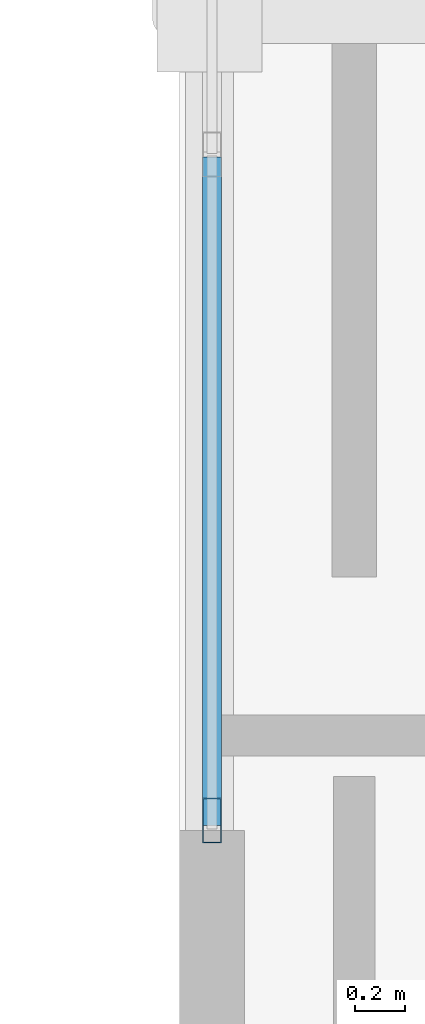
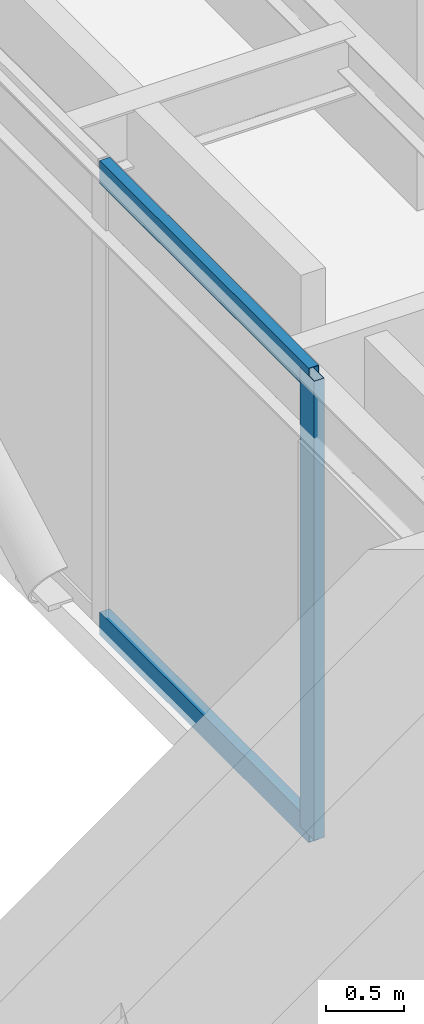
# One storey, part 4 of 19: 3 members, 1 element without a shape of its own.
"""IFC4 building model written with IfcOpenShell, lengths in metres."""

from ifc_helpers import new_model, si_unit, direction, frame, origin, origin_2d, place, context, subcontext, project, spatial, hollow_rectangle, extrude, material, material_profile, profile_set, type_object, element, aggregate, save


model = new_model("IFC4")

# Units and contexts
model_context = context("Model", 3, precision=1e-05, world=origin(), true_north=direction((0.0, 1.0)))
body_context = subcontext(model_context, "Body", "Model", "MODEL_VIEW")
ifc_project = project(units=[si_unit("LENGTHUNIT", "METRE"), si_unit("AREAUNIT", "SQUARE_METRE"), si_unit("VOLUMEUNIT", "CUBIC_METRE"), si_unit("PLANEANGLEUNIT", "RADIAN"), si_unit("MASSUNIT", "GRAM", prefix="KILO")], contexts=[model_context])

# Site, building, storey
site_placement = place(None, origin())
site = spatial("IfcSite", under=ifc_project, at=site_placement, CompositionType="ELEMENT")
building_placement = place(site_placement, origin())
building = spatial("IfcBuilding", under=site, at=building_placement, Name="Ventersveld Concourse Tower", CompositionType="ELEMENT")
storey_placement = place(building_placement, frame((0.0, 0.0, 345.199951171875)))
storey = spatial("IfcBuildingStorey", under=building, at=storey_placement, Name="L85", CompositionType="ELEMENT", Elevation=345.199951171875)

# Curtain wall, members
ifc_material = material(Name="Anodised aluminium EN AW-6063-T6", Category="aluminium")
curtain_wall_type = type_object("IfcCurtainWallType", Name="CW-WP-5", PredefinedType="NOTDEFINED", material=ifc_material)
curtain_wall_placement = place(storey_placement, origin())
curtain_wall = element("IfcCurtainWall", 1, at=curtain_wall_placement, inside=storey, type_object=curtain_wall_type, Name="L85 L85 Wind Portal Aerodynamic Cheek Curtain Wall", PredefinedType="NOTDEFINED")
ifc_material_profile_1 = material_profile(ifc_material, hollow_rectangle(XDim=0.074951171875, YDim=0.179931640625, WallThickness=0.00390625, at=origin_2d()), Name="ALU 180x75x4")
ifc_profile_set_1 = profile_set([ifc_material_profile_1], Name="Anodised aluminium EN AW-6063-T6")
member_type_1 = type_object("IfcMemberType", Name="CWM-180x75", PredefinedType="MULLION", material=ifc_profile_set_1)
member_1_placement = place(storey_placement, frame((34.1298828125, 14.2900390625, 0.0), z_axis=(0.0, 0.0, 1.0), x_axis=(1.0, 0.0, 0.0)))
member_1 = element("IfcMember", 2, at=member_1_placement, type_object=member_type_1, Name="CW-L85-WP-E Mullion 01", PredefinedType="MULLION", context=body_context, shape_type="SweptSolid", body=[
    extrude(hollow_rectangle(XDim=0.074951171875, YDim=0.179931640625, WallThickness=0.00390625, at=origin_2d()), origin(), (0.0, 0.0, 1.0), 3.590087890625),
])
ifc_material_profile_2 = material_profile(ifc_material, hollow_rectangle(XDim=0.074951171875, YDim=0.179931640625, WallThickness=0.00390625, at=origin_2d()), Name="ALU 180x75x4")
ifc_profile_set_2 = profile_set([ifc_material_profile_2], Name="Anodised aluminium EN AW-6063-T6")
member_type_2 = type_object("IfcMemberType", Name="CWT-180x75", PredefinedType="USERDEFINED", material=ifc_profile_set_2)
member_2_placement = place(storey_placement, frame((34.1298828125, 14.27001953125, 0.030029296875), z_axis=(0.0, 1.0, 0.0), x_axis=(-1.0, 0.0, 0.0)))
member_2 = element("IfcMember", 3, at=member_2_placement, type_object=member_type_2, Name="CW-L85-WP-E Transom 1-01", ObjectType="TRANSOM", PredefinedType="USERDEFINED", context=body_context, shape_type="SweptSolid", body=[
    extrude(hollow_rectangle(XDim=0.074951171875, YDim=0.179931640625, WallThickness=0.00390625, at=origin_2d()), origin(), (0.0, 0.0, 1.0), 2.6787109375),
])
member_3_placement = place(storey_placement, frame((34.1298828125, 14.27001953125, 3.56005859375), z_axis=(0.0, 1.0, 0.0), x_axis=(-1.0, 0.0, 0.0)))
member_3 = element("IfcMember", 4, at=member_3_placement, type_object=member_type_2, Name="CW-L85-WP-E Transom 2-01", ObjectType="TRANSOM", PredefinedType="USERDEFINED", context=body_context, shape_type="SweptSolid", body=[
    extrude(hollow_rectangle(XDim=0.074951171875, YDim=0.179931640625, WallThickness=0.00390625, at=origin_2d()), origin(), (0.0, 0.0, 1.0), 2.6787109375),
])
aggregate(curtain_wall, [member_1, member_2, member_3])

save(model, "model.ifc")
